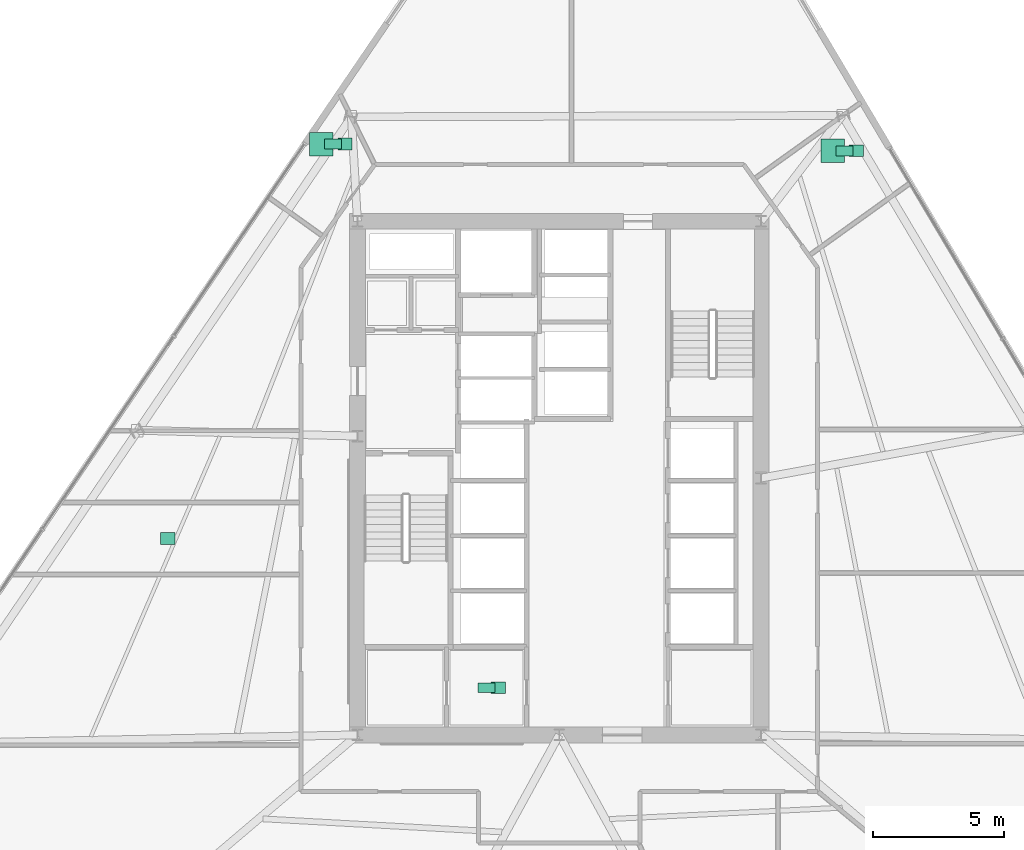
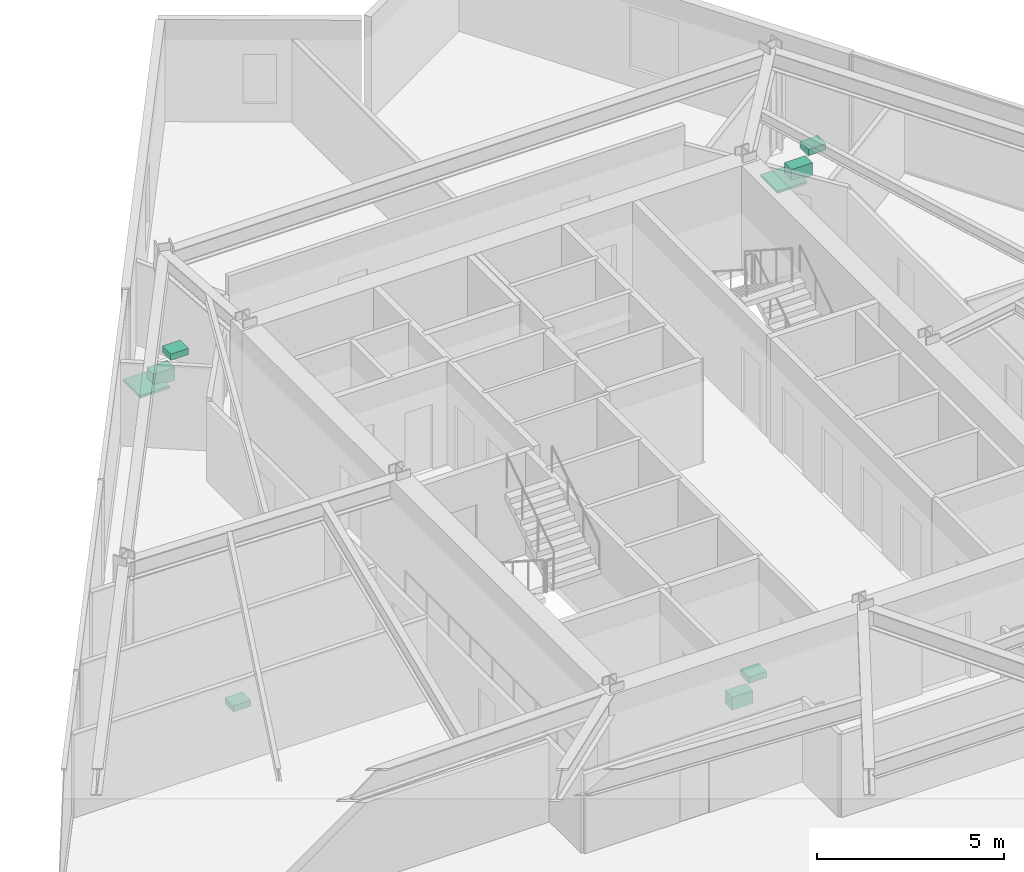
# One storey, part 16 of 16: 9 sanitary terminals.
"""IFC4 building model written with IfcOpenShell, lengths in metres."""

from ifc_helpers import new_model, si_unit, direction, frame, origin, origin_2d, place, context, subcontext, project, spatial, rectangle, extrude, material, type_object, element, save


model = new_model("IFC4")

# Units and contexts
model_context = context("Model", 3, precision=1e-05, world=origin(), true_north=direction((0.0, 1.0)))
body_context = subcontext(model_context, "Body", "Model", "MODEL_VIEW")
ifc_project = project(units=[si_unit("LENGTHUNIT", "METRE"), si_unit("AREAUNIT", "SQUARE_METRE"), si_unit("VOLUMEUNIT", "CUBIC_METRE"), si_unit("PLANEANGLEUNIT", "RADIAN"), si_unit("MASSUNIT", "GRAM", prefix="KILO")], contexts=[model_context])

# Site, building, storey
site_placement = place(None, origin())
site = spatial("IfcSite", under=ifc_project, at=site_placement, CompositionType="ELEMENT")
building_placement = place(site_placement, origin())
building = spatial("IfcBuilding", under=site, at=building_placement, Name="Savorim Split Tower", CompositionType="ELEMENT")
storey_placement = place(building_placement, frame((0.0, 0.0, 30.0)))
storey = spatial("IfcBuildingStorey", under=building, at=storey_placement, Name="L07", CompositionType="ELEMENT", Elevation=30.0)

# Sanitary terminals
ifc_material = material(Name="Vitreous China Sanitaryware")
sanitary_terminal_type_1 = type_object("IfcSanitaryTerminalType", Name="SAN-SHW-900", PredefinedType="SHOWER", material=ifc_material)
for number, where, z_axis, x_axis, name in (
    (1, (10.43115234375, 12.8857421875, 0.0), (0.0, 0.0, 1.0), (1.0, 0.0, 0.0), "L07 Shared Bathroom Shower"),
    (2, (-9.07568359375, 13.143798828125, 0.0), (0.0, 0.0, 1.0), (1.0, 0.0, 0.0), "L07 Shared Bathroom Shower"),
):
    element("IfcSanitaryTerminal", number, at=place(storey_placement, frame(where, z_axis=z_axis, x_axis=x_axis)), inside=storey, type_object=sanitary_terminal_type_1, Name=name, PredefinedType="SHOWER", context=body_context, shape_type="SweptSolid", body=[
        extrude(rectangle(XDim=0.89990234375, YDim=0.89990234375, at=origin_2d()), origin(), (0.0, 0.0, 1.0), 0.080078125),
    ])
sanitary_terminal_type_2 = type_object("IfcSanitaryTerminalType", Name="SAN-WC-PAN", PredefinedType="TOILETPAN", material=ifc_material)
for number, where, z_axis, x_axis, name in (
    (3, (-2.77490234375, -7.60009765625, 0.0), (0.0, 0.0, 1.0), (1.0, 0.0, 0.0), "L07 Accessible WC WC Pan"),
    (4, (10.881103515625, 12.8857421875, 0.0), (0.0, 0.0, 1.0), (1.0, 0.0, 0.0), "L07 Shared Bathroom WC Pan"),
    (5, (-8.62548828125, 13.143798828125, 0.0), (0.0, 0.0, 1.0), (1.0, 0.0, 0.0), "L07 Shared Bathroom WC Pan"),
):
    element("IfcSanitaryTerminal", number, at=place(storey_placement, frame(where, z_axis=z_axis, x_axis=x_axis)), inside=storey, type_object=sanitary_terminal_type_2, Name=name, PredefinedType="TOILETPAN", context=body_context, shape_type="SweptSolid", body=[
        extrude(rectangle(XDim=0.64990234375, YDim=0.3798828125, at=origin_2d()), origin(), (0.0, 0.0, 1.0), 0.419921875),
    ])
sanitary_terminal_type_3 = type_object("IfcSanitaryTerminalType", Name="SAN-WHB-550", PredefinedType="WASHHANDBASIN", material=ifc_material)
for number, where, z_axis, x_axis, name in (
    (6, (-2.324951171875, -7.60009765625, 0.72021484375), (0.0, 0.0, 1.0), (1.0, 0.0, 0.0), "L07 Accessible WC Washhand Basin"),
    (7, (-14.9365234375, -1.90478515625, 0.75), (0.0, 0.0, 1.0), (1.0, 0.0, 0.0), "L07 Shared Kitchen Utility Sink"),
    (8, (11.331298828125, 12.8857421875, 0.72021484375), (0.0, 0.0, 1.0), (1.0, 0.0, 0.0), "L07 Shared Bathroom Washhand Basin"),
    (9, (-8.175537109375, 13.143798828125, 0.72021484375), (0.0, 0.0, 1.0), (1.0, 0.0, 0.0), "L07 Shared Bathroom Washhand Basin"),
):
    element("IfcSanitaryTerminal", number, at=place(storey_placement, frame(where, z_axis=z_axis, x_axis=x_axis)), inside=storey, type_object=sanitary_terminal_type_3, Name=name, PredefinedType="WASHHANDBASIN", context=body_context, shape_type="SweptSolid", body=[
        extrude(rectangle(XDim=0.550048828125, YDim=0.449951171875, at=origin_2d()), origin(), (0.0, 0.0, 1.0), 0.199951171875),
    ])

save(model, "model.ifc")
